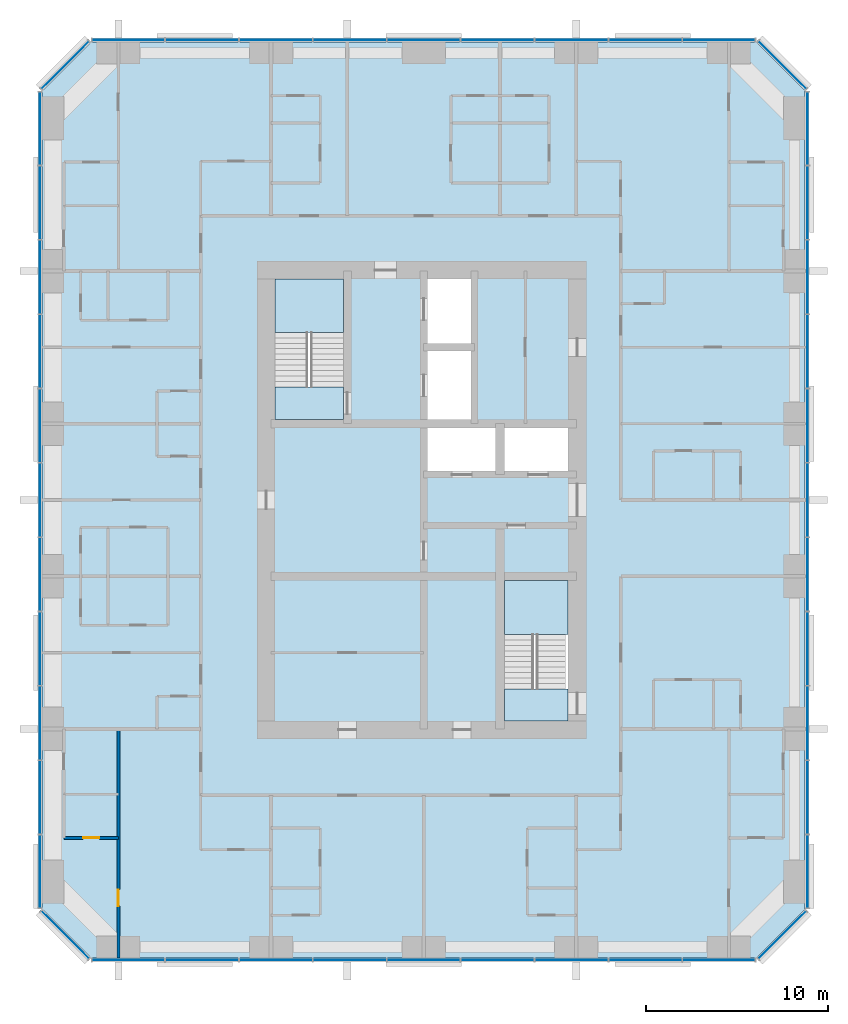
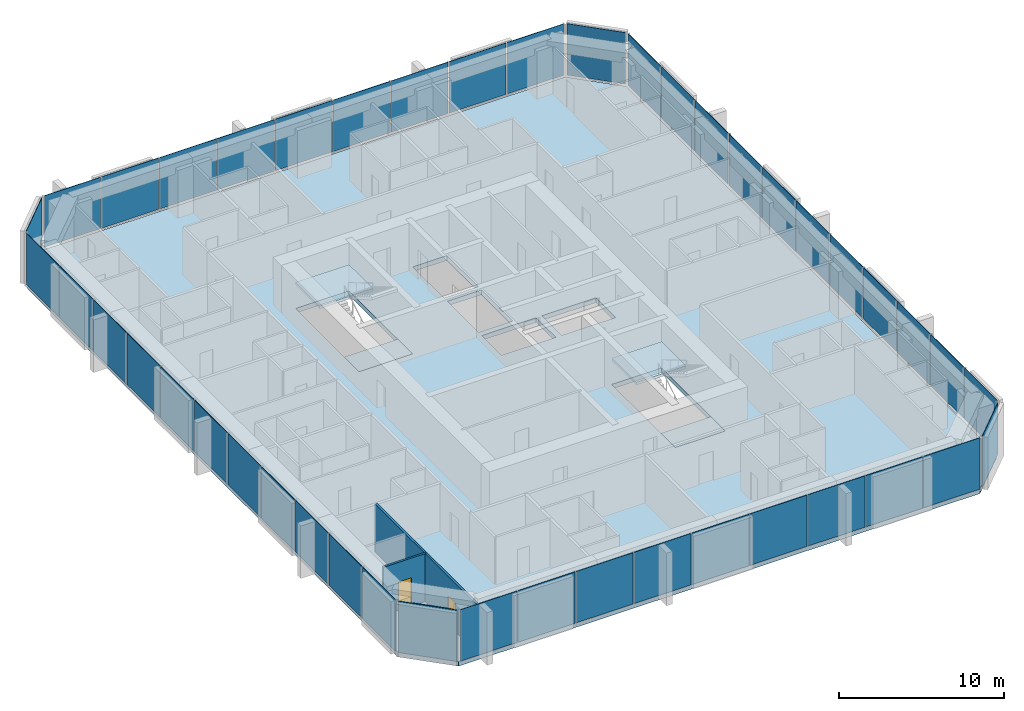
# One storey, part 6 of 12: 44 plates, 5 slabs, 2 doors, 2 walls, 2 openings, 10 elements without a shape of their own.
"""IFC4 building model written with IfcOpenShell, lengths in metres."""

from ifc_helpers import new_model, si_unit, direction, frame, frame_2d, origin, origin_2d, place, context, subcontext, project, spatial, polyline, rectangle, outline, extrude, material, layer, layer_set, type_object, element, fill, aggregate, save


model = new_model("IFC4")

# Units and contexts
model_context = context("Model", 3, precision=1e-05, world=origin(), true_north=direction((0.0, 1.0)))
body_context = subcontext(model_context, "Body", "Model", "MODEL_VIEW")
ifc_project = project(units=[si_unit("LENGTHUNIT", "METRE"), si_unit("AREAUNIT", "SQUARE_METRE"), si_unit("VOLUMEUNIT", "CUBIC_METRE"), si_unit("PLANEANGLEUNIT", "RADIAN"), si_unit("MASSUNIT", "GRAM", prefix="KILO")], contexts=[model_context])

# Site, building, storey
site_placement = place(None, origin())
site = spatial("IfcSite", under=ifc_project, at=site_placement, CompositionType="ELEMENT")
building_placement = place(site_placement, origin())
building = spatial("IfcBuilding", under=site, at=building_placement, Name="Dunama Terrace Hotel", CompositionType="ELEMENT")
storey_placement = place(building_placement, frame((0.0, 0.0, 229.5)))
storey = spatial("IfcBuildingStorey", under=building, at=storey_placement, Name="L59", CompositionType="ELEMENT", Elevation=229.5)

# Curtain wall, plates
ifc_material_1 = material(Name="Aluminium curtain wall system", Category="aluminium")
curtain_wall_type = type_object("IfcCurtainWallType", Name="Unitised fritted glass wall CW-D", PredefinedType="NOTDEFINED", material=ifc_material_1)
curtain_wall_1_placement = place(storey_placement, origin())
curtain_wall_1 = element("IfcCurtainWall", 1, at=curtain_wall_1_placement, inside=storey, type_object=curtain_wall_type, Name="Unitised fritted glass wall CW-D L59", PredefinedType="NOTDEFINED")
ifc_material_2 = material(Name="Laminated glass", Category="glass")
ifc_layer_1 = layer(ifc_material_2, 0.035888671875)
ifc_layer_set_1 = layer_set([ifc_layer_1], Name="CWD clear glass panel")
plate_type_1 = type_object("IfcPlateType", Name="CWD clear glass panel", PredefinedType="CURTAIN_PANEL", material=ifc_layer_set_1)
plate_1_placement = place(storey_placement, frame((25.467041015625, 4.080078125, 0.0849609375), z_axis=(0.0, 0.0, 1.0), x_axis=(1.0, 0.0, 0.0)))
plate_1 = element("IfcPlate", 2, at=plate_1_placement, type_object=plate_type_1, Name="CWD clear glass panel", PredefinedType="CURTAIN_PANEL", context=body_context, shape_type="SweptSolid", body=[
    extrude(rectangle(XDim=3.99658203125, YDim=0.035888671875, at=origin_2d()), origin(), (0.0, 0.0, 1.0), 3.81494140625),
])
plate_2_placement = place(storey_placement, frame((37.6669921875, 4.080078125, 0.0849609375), z_axis=(0.0, 0.0, 1.0), x_axis=(1.0, 0.0, 0.0)))
plate_2 = element("IfcPlate", 3, at=plate_2_placement, type_object=plate_type_1, Name="CWD clear glass panel", PredefinedType="CURTAIN_PANEL", context=body_context, shape_type="SweptSolid", body=[
    extrude(rectangle(XDim=3.99658203125, YDim=0.035888671875, at=origin_2d()), origin(), (0.0, 0.0, 1.0), 3.81494140625),
])
plate_3_placement = place(storey_placement, frame((49.84912109375, 4.080078125, 0.0849609375), z_axis=(0.0, 0.0, 1.0), x_axis=(1.0, 0.0, 0.0)))
plate_3 = element("IfcPlate", 4, at=plate_3_placement, type_object=plate_type_1, Name="CWD clear glass panel", PredefinedType="CURTAIN_PANEL", context=body_context, shape_type="SweptSolid", body=[
    extrude(rectangle(XDim=3.961669921875, YDim=0.035888671875, at=origin_2d()), origin(), (0.0, 0.0, 1.0), 3.81494140625),
])

curtain_wall_2_placement = place(storey_placement, origin())
curtain_wall_2 = element("IfcCurtainWall", 5, at=curtain_wall_2_placement, inside=storey, type_object=curtain_wall_type, Name="Unitised fritted glass wall CW-D L59", PredefinedType="NOTDEFINED")
plate_4_placement = place(storey_placement, frame((54.719970703125, 13.035888671875, 0.0849609375), z_axis=(0.0, 0.0, 1.0), x_axis=(0.0, 1.0, 0.0)))
plate_4 = element("IfcPlate", 6, at=plate_4_placement, type_object=plate_type_1, Name="CWD clear glass panel", PredefinedType="CURTAIN_PANEL", context=body_context, shape_type="SweptSolid", body=[
    extrude(rectangle(XDim=4.02099609375, YDim=0.035888671875, at=origin_2d()), origin(), (0.0, 0.0, 1.0), 3.81494140625),
])
plate_5_placement = place(storey_placement, frame((54.719970703125, 25.30908203125, 0.0849609375), z_axis=(0.0, 0.0, 1.0), x_axis=(0.0, 1.0, 0.0)))
plate_5 = element("IfcPlate", 7, at=plate_5_placement, type_object=plate_type_1, Name="CWD clear glass panel", PredefinedType="CURTAIN_PANEL", context=body_context, shape_type="SweptSolid", body=[
    extrude(rectangle(XDim=4.02099609375, YDim=0.035888671875, at=origin_2d()), origin(), (0.0, 0.0, 1.0), 3.81494140625),
])
plate_6_placement = place(storey_placement, frame((54.719970703125, 37.58203125, 0.0849609375), z_axis=(0.0, 0.0, 1.0), x_axis=(0.0, 1.0, 0.0)))
plate_6 = element("IfcPlate", 8, at=plate_6_placement, type_object=plate_type_1, Name="CWD clear glass panel", PredefinedType="CURTAIN_PANEL", context=body_context, shape_type="SweptSolid", body=[
    extrude(rectangle(XDim=4.02099609375, YDim=0.035888671875, at=origin_2d()), origin(), (0.0, 0.0, 1.0), 3.81494140625),
])
plate_7_placement = place(storey_placement, frame((54.719970703125, 49.8369140625, 0.0849609375), z_axis=(0.0, 0.0, 1.0), x_axis=(0.0, 1.0, 0.0)))
plate_7 = element("IfcPlate", 9, at=plate_7_placement, type_object=plate_type_1, Name="CWD clear glass panel", PredefinedType="CURTAIN_PANEL", context=body_context, shape_type="SweptSolid", body=[
    extrude(rectangle(XDim=3.98583984375, YDim=0.035888671875, at=origin_2d()), origin(), (0.0, 0.0, 1.0), 3.81494140625),
])

curtain_wall_3_placement = place(storey_placement, origin())
curtain_wall_3 = element("IfcCurtainWall", 10, at=curtain_wall_3_placement, inside=storey, type_object=curtain_wall_type, Name="Unitised fritted glass wall CW-D L59", PredefinedType="NOTDEFINED")
plate_8_placement = place(storey_placement, frame((45.800048828125, 54.719970703125, 0.0849609375), z_axis=(0.0, 0.0, 1.0), x_axis=(-1.0, 0.0, 0.0)))
plate_8 = element("IfcPlate", 11, at=plate_8_placement, type_object=plate_type_1, Name="CWD clear glass panel", PredefinedType="CURTAIN_PANEL", context=body_context, shape_type="SweptSolid", body=[
    extrude(rectangle(XDim=3.99658203125, YDim=0.035888671875, at=origin_2d()), origin(), (0.0, 0.0, 1.0), 3.81494140625),
])
plate_9_placement = place(storey_placement, frame((33.60009765625, 54.719970703125, 0.0849609375), z_axis=(0.0, 0.0, 1.0), x_axis=(-1.0, 0.0, 0.0)))
plate_9 = element("IfcPlate", 12, at=plate_9_placement, type_object=plate_type_1, Name="CWD clear glass panel", PredefinedType="CURTAIN_PANEL", context=body_context, shape_type="SweptSolid", body=[
    extrude(rectangle(XDim=3.99658203125, YDim=0.035888671875, at=origin_2d()), origin(), (0.0, 0.0, 1.0), 3.81494140625),
])
plate_10_placement = place(storey_placement, frame((21.39990234375, 54.719970703125, 0.0849609375), z_axis=(0.0, 0.0, 1.0), x_axis=(-1.0, 0.0, 0.0)))
plate_10 = element("IfcPlate", 13, at=plate_10_placement, type_object=plate_type_1, Name="CWD clear glass panel", PredefinedType="CURTAIN_PANEL", context=body_context, shape_type="SweptSolid", body=[
    extrude(rectangle(XDim=3.99658203125, YDim=0.035888671875, at=origin_2d()), origin(), (0.0, 0.0, 1.0), 3.81494140625),
])

curtain_wall_4_placement = place(storey_placement, origin())
curtain_wall_4 = element("IfcCurtainWall", 14, at=curtain_wall_4_placement, inside=storey, type_object=curtain_wall_type, Name="Unitised fritted glass wall CW-D L59", PredefinedType="NOTDEFINED")
plate_11_placement = place(storey_placement, frame((12.47998046875, 49.8369140625, 0.0849609375), z_axis=(0.0, 0.0, 1.0), x_axis=(0.0, -1.0, 0.0)))
plate_11 = element("IfcPlate", 15, at=plate_11_placement, type_object=plate_type_1, Name="CWD clear glass panel", PredefinedType="CURTAIN_PANEL", context=body_context, shape_type="SweptSolid", body=[
    extrude(rectangle(XDim=3.98583984375, YDim=0.035888671875, at=origin_2d()), origin(), (0.0, 0.0, 1.0), 3.81494140625),
])
plate_12_placement = place(storey_placement, frame((12.47998046875, 37.58203125, 0.0849609375), z_axis=(0.0, 0.0, 1.0), x_axis=(0.0, -1.0, 0.0)))
plate_12 = element("IfcPlate", 16, at=plate_12_placement, type_object=plate_type_1, Name="CWD clear glass panel", PredefinedType="CURTAIN_PANEL", context=body_context, shape_type="SweptSolid", body=[
    extrude(rectangle(XDim=4.02099609375, YDim=0.035888671875, at=origin_2d()), origin(), (0.0, 0.0, 1.0), 3.81494140625),
])
plate_13_placement = place(storey_placement, frame((12.47998046875, 25.30908203125, 0.0849609375), z_axis=(0.0, 0.0, 1.0), x_axis=(0.0, -1.0, 0.0)))
plate_13 = element("IfcPlate", 17, at=plate_13_placement, type_object=plate_type_1, Name="CWD clear glass panel", PredefinedType="CURTAIN_PANEL", context=body_context, shape_type="SweptSolid", body=[
    extrude(rectangle(XDim=4.02099609375, YDim=0.035888671875, at=origin_2d()), origin(), (0.0, 0.0, 1.0), 3.81494140625),
])
plate_14_placement = place(storey_placement, frame((12.47998046875, 13.035888671875, 0.0849609375), z_axis=(0.0, 0.0, 1.0), x_axis=(0.0, -1.0, 0.0)))
plate_14 = element("IfcPlate", 18, at=plate_14_placement, type_object=plate_type_1, Name="CWD clear glass panel", PredefinedType="CURTAIN_PANEL", context=body_context, shape_type="SweptSolid", body=[
    extrude(rectangle(XDim=4.02099609375, YDim=0.035888671875, at=origin_2d()), origin(), (0.0, 0.0, 1.0), 3.81494140625),
])

# Plate
ifc_material_3 = material(Name="Fritted laminated glass", Category="glass")
ifc_layer_2 = layer(ifc_material_3, 0.035888671875)
ifc_layer_set_2 = layer_set([ifc_layer_2], Name="CWD fritted glass panel")
plate_type_2 = type_object("IfcPlateType", Name="CWD fritted glass panel", PredefinedType="CURTAIN_PANEL", material=ifc_layer_set_2)
plate_15_placement = place(storey_placement, frame((21.39990234375, 4.080078125, 0.0849609375), z_axis=(0.0, 0.0, 1.0), x_axis=(1.0, 0.0, 0.0)))
plate_15 = element("IfcPlate", 19, at=plate_15_placement, type_object=plate_type_2, Name="CWD fritted glass panel", PredefinedType="CURTAIN_PANEL", context=body_context, shape_type="SweptSolid", body=[
    extrude(rectangle(XDim=3.99658203125, YDim=0.035888671875, at=origin_2d()), origin(), (0.0, 0.0, 1.0), 3.81494140625),
])

plate_16_placement = place(storey_placement, frame((33.60009765625, 4.080078125, 0.0849609375), z_axis=(0.0, 0.0, 1.0), x_axis=(1.0, 0.0, 0.0)))
plate_16 = element("IfcPlate", 20, at=plate_16_placement, type_object=plate_type_2, Name="CWD fritted glass panel", PredefinedType="CURTAIN_PANEL", context=body_context, shape_type="SweptSolid", body=[
    extrude(rectangle(XDim=3.99658203125, YDim=0.035888671875, at=origin_2d()), origin(), (0.0, 0.0, 1.0), 3.81494140625),
])

plate_17_placement = place(storey_placement, frame((45.800048828125, 4.080078125, 0.0849609375), z_axis=(0.0, 0.0, 1.0), x_axis=(1.0, 0.0, 0.0)))
plate_17 = element("IfcPlate", 21, at=plate_17_placement, type_object=plate_type_2, Name="CWD fritted glass panel", PredefinedType="CURTAIN_PANEL", context=body_context, shape_type="SweptSolid", body=[
    extrude(rectangle(XDim=3.99658203125, YDim=0.035888671875, at=origin_2d()), origin(), (0.0, 0.0, 1.0), 3.81494140625),
])

plate_18_placement = place(storey_placement, frame((54.719970703125, 8.962890625, 0.0849609375), z_axis=(0.0, 0.0, 1.0), x_axis=(0.0, 1.0, 0.0)))
plate_18 = element("IfcPlate", 22, at=plate_18_placement, type_object=plate_type_2, Name="CWD fritted glass panel", PredefinedType="CURTAIN_PANEL", context=body_context, shape_type="SweptSolid", body=[
    extrude(rectangle(XDim=3.98583984375, YDim=0.035888671875, at=origin_2d()), origin(), (0.0, 0.0, 1.0), 3.81494140625),
])

plate_19_placement = place(storey_placement, frame((54.719970703125, 21.218017578125, 0.0849609375), z_axis=(0.0, 0.0, 1.0), x_axis=(0.0, 1.0, 0.0)))
plate_19 = element("IfcPlate", 23, at=plate_19_placement, type_object=plate_type_2, Name="CWD fritted glass panel", PredefinedType="CURTAIN_PANEL", context=body_context, shape_type="SweptSolid", body=[
    extrude(rectangle(XDim=4.02099609375, YDim=0.035888671875, at=origin_2d()), origin(), (0.0, 0.0, 1.0), 3.81494140625),
])

plate_20_placement = place(storey_placement, frame((54.719970703125, 33.490966796875, 0.0849609375), z_axis=(0.0, 0.0, 1.0), x_axis=(0.0, 1.0, 0.0)))
plate_20 = element("IfcPlate", 24, at=plate_20_placement, type_object=plate_type_2, Name="CWD fritted glass panel", PredefinedType="CURTAIN_PANEL", context=body_context, shape_type="SweptSolid", body=[
    extrude(rectangle(XDim=4.02099609375, YDim=0.035888671875, at=origin_2d()), origin(), (0.0, 0.0, 1.0), 3.81494140625),
])

plate_21_placement = place(storey_placement, frame((54.719970703125, 45.763916015625, 0.0849609375), z_axis=(0.0, 0.0, 1.0), x_axis=(0.0, 1.0, 0.0)))
plate_21 = element("IfcPlate", 25, at=plate_21_placement, type_object=plate_type_2, Name="CWD fritted glass panel", PredefinedType="CURTAIN_PANEL", context=body_context, shape_type="SweptSolid", body=[
    extrude(rectangle(XDim=4.02099609375, YDim=0.035888671875, at=origin_2d()), origin(), (0.0, 0.0, 1.0), 3.81494140625),
])

plate_22_placement = place(storey_placement, frame((49.84912109375, 54.719970703125, 0.0849609375), z_axis=(0.0, 0.0, 1.0), x_axis=(-1.0, 0.0, 0.0)))
plate_22 = element("IfcPlate", 26, at=plate_22_placement, type_object=plate_type_2, Name="CWD fritted glass panel", PredefinedType="CURTAIN_PANEL", context=body_context, shape_type="SweptSolid", body=[
    extrude(rectangle(XDim=3.961669921875, YDim=0.035888671875, at=origin_2d()), origin(), (0.0, 0.0, 1.0), 3.81494140625),
])

plate_23_placement = place(storey_placement, frame((37.6669921875, 54.719970703125, 0.0849609375), z_axis=(0.0, 0.0, 1.0), x_axis=(-1.0, 0.0, 0.0)))
plate_23 = element("IfcPlate", 27, at=plate_23_placement, type_object=plate_type_2, Name="CWD fritted glass panel", PredefinedType="CURTAIN_PANEL", context=body_context, shape_type="SweptSolid", body=[
    extrude(rectangle(XDim=3.99658203125, YDim=0.035888671875, at=origin_2d()), origin(), (0.0, 0.0, 1.0), 3.81494140625),
])

plate_24_placement = place(storey_placement, frame((25.467041015625, 54.719970703125, 0.0849609375), z_axis=(0.0, 0.0, 1.0), x_axis=(-1.0, 0.0, 0.0)))
plate_24 = element("IfcPlate", 28, at=plate_24_placement, type_object=plate_type_2, Name="CWD fritted glass panel", PredefinedType="CURTAIN_PANEL", context=body_context, shape_type="SweptSolid", body=[
    extrude(rectangle(XDim=3.99658203125, YDim=0.035888671875, at=origin_2d()), origin(), (0.0, 0.0, 1.0), 3.81494140625),
])

# Curtain wall, plate
curtain_wall_5_placement = place(storey_placement, origin())
curtain_wall_5 = element("IfcCurtainWall", 29, at=curtain_wall_5_placement, inside=storey, type_object=curtain_wall_type, Name="Unitised fritted glass wall CW-D L59", PredefinedType="NOTDEFINED")
plate_25_placement = place(storey_placement, frame((13.864990234375, 53.3349609375, 0.0849609375), z_axis=(0.0, 0.0, 1.0), x_axis=(-0.707106781187, -0.707106781187, 0.0)))
plate_25 = element("IfcPlate", 30, at=plate_25_placement, type_object=plate_type_2, Name="CWD fritted glass panel", PredefinedType="CURTAIN_PANEL", context=body_context, shape_type="SweptSolid", body=[
    extrude(rectangle(XDim=3.678466796875, YDim=0.035888671875, at=origin_2d()), origin(), (0.0, 0.0, 1.0), 3.81494140625),
])
aggregate(curtain_wall_5, [plate_25])

# Plate
plate_26_placement = place(storey_placement, frame((12.47998046875, 41.673095703125, 0.0849609375), z_axis=(0.0, 0.0, 1.0), x_axis=(0.0, -1.0, 0.0)))
plate_26 = element("IfcPlate", 31, at=plate_26_placement, type_object=plate_type_2, Name="CWD fritted glass panel", PredefinedType="CURTAIN_PANEL", context=body_context, shape_type="SweptSolid", body=[
    extrude(rectangle(XDim=4.02099609375, YDim=0.035888671875, at=origin_2d()), origin(), (0.0, 0.0, 1.0), 3.81494140625),
])

plate_27_placement = place(storey_placement, frame((12.47998046875, 29.39990234375, 0.0849609375), z_axis=(0.0, 0.0, 1.0), x_axis=(0.0, -1.0, 0.0)))
plate_27 = element("IfcPlate", 32, at=plate_27_placement, type_object=plate_type_2, Name="CWD fritted glass panel", PredefinedType="CURTAIN_PANEL", context=body_context, shape_type="SweptSolid", body=[
    extrude(rectangle(XDim=4.02099609375, YDim=0.035888671875, at=origin_2d()), origin(), (0.0, 0.0, 1.0), 3.81494140625),
])

plate_28_placement = place(storey_placement, frame((12.47998046875, 17.126953125, 0.0849609375), z_axis=(0.0, 0.0, 1.0), x_axis=(0.0, -1.0, 0.0)))
plate_28 = element("IfcPlate", 33, at=plate_28_placement, type_object=plate_type_2, Name="CWD fritted glass panel", PredefinedType="CURTAIN_PANEL", context=body_context, shape_type="SweptSolid", body=[
    extrude(rectangle(XDim=4.02099609375, YDim=0.035888671875, at=origin_2d()), origin(), (0.0, 0.0, 1.0), 3.81494140625),
])

# Curtain wall, plate
curtain_wall_6_placement = place(storey_placement, origin())
curtain_wall_6 = element("IfcCurtainWall", 34, at=curtain_wall_6_placement, inside=storey, type_object=curtain_wall_type, Name="Unitised fritted glass wall CW-D L59", PredefinedType="NOTDEFINED")
plate_29_placement = place(storey_placement, frame((13.864990234375, 5.465087890625, 0.0849609375), z_axis=(0.0, 0.0, 1.0), x_axis=(0.707106781187, -0.707106781187, 0.0)))
plate_29 = element("IfcPlate", 35, at=plate_29_placement, type_object=plate_type_2, Name="CWD fritted glass panel", PredefinedType="CURTAIN_PANEL", context=body_context, shape_type="SweptSolid", body=[
    extrude(rectangle(XDim=3.678466796875, YDim=0.035888671875, at=origin_2d()), origin(), (0.0, 0.0, 1.0), 3.81494140625),
])
aggregate(curtain_wall_6, [plate_29])

# Plate
ifc_material_4 = material(Name="Laminated glass", Category="glass")
ifc_layer_3 = layer(ifc_material_4, 0.035888671875)
ifc_layer_set_3 = layer_set([ifc_layer_3], Name="CWD operable glass panel")
plate_type_3 = type_object("IfcPlateType", Name="CWD operable glass panel", PredefinedType="CURTAIN_PANEL", material=ifc_layer_set_3)
plate_30_placement = place(storey_placement, frame((17.35107421875, 4.080078125, 0.0849609375), z_axis=(0.0, 0.0, 1.0), x_axis=(1.0, 0.0, 0.0)))
plate_30 = element("IfcPlate", 36, at=plate_30_placement, type_object=plate_type_3, Name="CWD operable glass panel", PredefinedType="CURTAIN_PANEL", context=body_context, shape_type="SweptSolid", body=[
    extrude(rectangle(XDim=3.961669921875, YDim=0.035888671875, at=origin_2d()), origin(), (0.0, 0.0, 1.0), 3.81494140625),
])

plate_31_placement = place(storey_placement, frame((29.532958984375, 4.080078125, 0.0849609375), z_axis=(0.0, 0.0, 1.0), x_axis=(1.0, 0.0, 0.0)))
plate_31 = element("IfcPlate", 37, at=plate_31_placement, type_object=plate_type_3, Name="CWD operable glass panel", PredefinedType="CURTAIN_PANEL", context=body_context, shape_type="SweptSolid", body=[
    extrude(rectangle(XDim=3.99658203125, YDim=0.035888671875, at=origin_2d()), origin(), (0.0, 0.0, 1.0), 3.81494140625),
])

plate_32_placement = place(storey_placement, frame((41.73291015625, 4.080078125, 0.0849609375), z_axis=(0.0, 0.0, 1.0), x_axis=(1.0, 0.0, 0.0)))
plate_32 = element("IfcPlate", 38, at=plate_32_placement, type_object=plate_type_3, Name="CWD operable glass panel", PredefinedType="CURTAIN_PANEL", context=body_context, shape_type="SweptSolid", body=[
    extrude(rectangle(XDim=3.99658203125, YDim=0.035888671875, at=origin_2d()), origin(), (0.0, 0.0, 1.0), 3.81494140625),
])

aggregate(curtain_wall_1, [plate_30, plate_15, plate_1, plate_31, plate_16, plate_2, plate_32, plate_17, plate_3])

# Curtain wall, plate
curtain_wall_7_placement = place(storey_placement, origin())
curtain_wall_7 = element("IfcCurtainWall", 39, at=curtain_wall_7_placement, inside=storey, type_object=curtain_wall_type, Name="Unitised fritted glass wall CW-D L59", PredefinedType="NOTDEFINED")
plate_33_placement = place(storey_placement, frame((53.3349609375, 5.465087890625, 0.0849609375), z_axis=(0.0, 0.0, 1.0), x_axis=(0.707106781187, 0.707106781187, 0.0)))
plate_33 = element("IfcPlate", 40, at=plate_33_placement, type_object=plate_type_3, Name="CWD operable glass panel", PredefinedType="CURTAIN_PANEL", context=body_context, shape_type="SweptSolid", body=[
    extrude(rectangle(XDim=3.678466796875, YDim=0.035888671875, at=origin_2d()), origin(), (0.0, 0.0, 1.0), 3.81494140625),
])
aggregate(curtain_wall_7, [plate_33])

# Plate
plate_34_placement = place(storey_placement, frame((54.719970703125, 17.126953125, 0.0849609375), z_axis=(0.0, 0.0, 1.0), x_axis=(0.0, 1.0, 0.0)))
plate_34 = element("IfcPlate", 41, at=plate_34_placement, type_object=plate_type_3, Name="CWD operable glass panel", PredefinedType="CURTAIN_PANEL", context=body_context, shape_type="SweptSolid", body=[
    extrude(rectangle(XDim=4.02099609375, YDim=0.035888671875, at=origin_2d()), origin(), (0.0, 0.0, 1.0), 3.81494140625),
])

plate_35_placement = place(storey_placement, frame((54.719970703125, 29.39990234375, 0.0849609375), z_axis=(0.0, 0.0, 1.0), x_axis=(0.0, 1.0, 0.0)))
plate_35 = element("IfcPlate", 42, at=plate_35_placement, type_object=plate_type_3, Name="CWD operable glass panel", PredefinedType="CURTAIN_PANEL", context=body_context, shape_type="SweptSolid", body=[
    extrude(rectangle(XDim=4.02099609375, YDim=0.035888671875, at=origin_2d()), origin(), (0.0, 0.0, 1.0), 3.81494140625),
])

plate_36_placement = place(storey_placement, frame((54.719970703125, 41.673095703125, 0.0849609375), z_axis=(0.0, 0.0, 1.0), x_axis=(0.0, 1.0, 0.0)))
plate_36 = element("IfcPlate", 43, at=plate_36_placement, type_object=plate_type_3, Name="CWD operable glass panel", PredefinedType="CURTAIN_PANEL", context=body_context, shape_type="SweptSolid", body=[
    extrude(rectangle(XDim=4.02099609375, YDim=0.035888671875, at=origin_2d()), origin(), (0.0, 0.0, 1.0), 3.81494140625),
])

aggregate(curtain_wall_2, [plate_18, plate_4, plate_34, plate_19, plate_5, plate_35, plate_20, plate_6, plate_36, plate_21, plate_7])

# Curtain wall, plate
curtain_wall_8_placement = place(storey_placement, origin())
curtain_wall_8 = element("IfcCurtainWall", 44, at=curtain_wall_8_placement, inside=storey, type_object=curtain_wall_type, Name="Unitised fritted glass wall CW-D L59", PredefinedType="NOTDEFINED")
plate_37_placement = place(storey_placement, frame((53.3349609375, 53.3349609375, 0.0849609375), z_axis=(0.0, 0.0, 1.0), x_axis=(-0.707106781187, 0.707106781187, 0.0)))
plate_37 = element("IfcPlate", 45, at=plate_37_placement, type_object=plate_type_3, Name="CWD operable glass panel", PredefinedType="CURTAIN_PANEL", context=body_context, shape_type="SweptSolid", body=[
    extrude(rectangle(XDim=3.678466796875, YDim=0.035888671875, at=origin_2d()), origin(), (0.0, 0.0, 1.0), 3.81494140625),
])
aggregate(curtain_wall_8, [plate_37])

# Plate
plate_38_placement = place(storey_placement, frame((41.73291015625, 54.719970703125, 0.0849609375), z_axis=(0.0, 0.0, 1.0), x_axis=(-1.0, 0.0, 0.0)))
plate_38 = element("IfcPlate", 46, at=plate_38_placement, type_object=plate_type_3, Name="CWD operable glass panel", PredefinedType="CURTAIN_PANEL", context=body_context, shape_type="SweptSolid", body=[
    extrude(rectangle(XDim=3.99658203125, YDim=0.035888671875, at=origin_2d()), origin(), (0.0, 0.0, 1.0), 3.81494140625),
])

plate_39_placement = place(storey_placement, frame((29.532958984375, 54.719970703125, 0.0849609375), z_axis=(0.0, 0.0, 1.0), x_axis=(-1.0, 0.0, 0.0)))
plate_39 = element("IfcPlate", 47, at=plate_39_placement, type_object=plate_type_3, Name="CWD operable glass panel", PredefinedType="CURTAIN_PANEL", context=body_context, shape_type="SweptSolid", body=[
    extrude(rectangle(XDim=3.99658203125, YDim=0.035888671875, at=origin_2d()), origin(), (0.0, 0.0, 1.0), 3.81494140625),
])

plate_40_placement = place(storey_placement, frame((17.35107421875, 54.719970703125, 0.0849609375), z_axis=(0.0, 0.0, 1.0), x_axis=(-1.0, 0.0, 0.0)))
plate_40 = element("IfcPlate", 48, at=plate_40_placement, type_object=plate_type_3, Name="CWD operable glass panel", PredefinedType="CURTAIN_PANEL", context=body_context, shape_type="SweptSolid", body=[
    extrude(rectangle(XDim=3.961669921875, YDim=0.035888671875, at=origin_2d()), origin(), (0.0, 0.0, 1.0), 3.81494140625),
])

aggregate(curtain_wall_3, [plate_22, plate_8, plate_38, plate_23, plate_9, plate_39, plate_24, plate_10, plate_40])

plate_41_placement = place(storey_placement, frame((12.47998046875, 45.763916015625, 0.0849609375), z_axis=(0.0, 0.0, 1.0), x_axis=(0.0, -1.0, 0.0)))
plate_41 = element("IfcPlate", 49, at=plate_41_placement, type_object=plate_type_3, Name="CWD operable glass panel", PredefinedType="CURTAIN_PANEL", context=body_context, shape_type="SweptSolid", body=[
    extrude(rectangle(XDim=4.02099609375, YDim=0.035888671875, at=origin_2d()), origin(), (0.0, 0.0, 1.0), 3.81494140625),
])

plate_42_placement = place(storey_placement, frame((12.47998046875, 33.490966796875, 0.0849609375), z_axis=(0.0, 0.0, 1.0), x_axis=(0.0, -1.0, 0.0)))
plate_42 = element("IfcPlate", 50, at=plate_42_placement, type_object=plate_type_3, Name="CWD operable glass panel", PredefinedType="CURTAIN_PANEL", context=body_context, shape_type="SweptSolid", body=[
    extrude(rectangle(XDim=4.02099609375, YDim=0.035888671875, at=origin_2d()), origin(), (0.0, 0.0, 1.0), 3.81494140625),
])

plate_43_placement = place(storey_placement, frame((12.47998046875, 21.218017578125, 0.0849609375), z_axis=(0.0, 0.0, 1.0), x_axis=(0.0, -1.0, 0.0)))
plate_43 = element("IfcPlate", 51, at=plate_43_placement, type_object=plate_type_3, Name="CWD operable glass panel", PredefinedType="CURTAIN_PANEL", context=body_context, shape_type="SweptSolid", body=[
    extrude(rectangle(XDim=4.02099609375, YDim=0.035888671875, at=origin_2d()), origin(), (0.0, 0.0, 1.0), 3.81494140625),
])

plate_44_placement = place(storey_placement, frame((12.47998046875, 8.962890625, 0.0849609375), z_axis=(0.0, 0.0, 1.0), x_axis=(0.0, -1.0, 0.0)))
plate_44 = element("IfcPlate", 52, at=plate_44_placement, type_object=plate_type_3, Name="CWD operable glass panel", PredefinedType="CURTAIN_PANEL", context=body_context, shape_type="SweptSolid", body=[
    extrude(rectangle(XDim=3.98583984375, YDim=0.035888671875, at=origin_2d()), origin(), (0.0, 0.0, 1.0), 3.81494140625),
])

aggregate(curtain_wall_4, [plate_11, plate_41, plate_26, plate_12, plate_42, plate_27, plate_13, plate_43, plate_28, plate_14, plate_44])

# Slab
ifc_material_5 = material(Name="Concrete C40/50", Category="concrete")
ifc_layer_4 = layer(ifc_material_5, 0.35009765625)
ifc_layer_set_4 = layer_set([ifc_layer_4], Name="Flat plate 350")
slab_type_1 = type_object("IfcSlabType", Name="Flat plate 350", PredefinedType="FLOOR", material=ifc_layer_set_4)
slab_1_placement = place(storey_placement, frame((0.0, 0.0, -0.35009765625)))
element("IfcSlab", 53, at=slab_1_placement, inside=storey, type_object=slab_type_1, Name="Floor slab L59", PredefinedType="FLOOR", context=body_context, shape_type="SweptSolid", body=[
    extrude(outline(polyline([(15.300048828125, 4.199951171875), (51.89990234375, 4.199951171875), (54.60009765625, 6.89990234375), (54.60009765625, 51.89990234375), (51.89990234375, 54.60009765625), (15.300048828125, 54.60009765625), (12.60009765625, 51.89990234375), (12.60009765625, 6.89990234375), (15.300048828125, 4.199951171875)]), holes=[polyline([(37.60009765625, 31.0), (37.60009765625, 33.39990234375), (33.800048828125, 33.39990234375), (33.800048828125, 31.0), (37.60009765625, 31.0)]), polyline([(41.800048828125, 31.0), (41.800048828125, 33.39990234375), (38.0, 33.39990234375), (38.0, 31.0), (41.800048828125, 31.0)]), polyline([(36.199951171875, 38.0), (36.199951171875, 41.800048828125), (33.800048828125, 41.800048828125), (33.800048828125, 38.0), (36.199951171875, 38.0)]), polyline([(36.199951171875, 33.800048828125), (36.199951171875, 37.60009765625), (33.800048828125, 37.60009765625), (33.800048828125, 33.800048828125), (36.199951171875, 33.800048828125)]), polyline([(29.175048828125, 33.824951171875), (29.175048828125, 41.550048828125), (25.425048828125, 41.550048828125), (25.425048828125, 33.824951171875), (29.175048828125, 33.824951171875)]), polyline([(41.550048828125, 17.25), (41.550048828125, 24.97509765625), (38.050048828125, 24.97509765625), (38.050048828125, 17.25), (41.550048828125, 17.25)])]), origin(), (0.0, 0.0, 1.0), 0.35009765625),
])

# Stair, slabs
ifc_material_6 = material(Name="Concrete C40/50", Category="concrete")
stair_type_1 = type_object("IfcStairType", Name="Stair ST1-3900-1800", PredefinedType="HALF_TURN_STAIR", material=ifc_material_6)
stair_1_placement = place(storey_placement, origin())
stair_1 = element("IfcStair", 54, at=stair_1_placement, inside=storey, type_object=stair_type_1, Name="Stair ST1 L59", PredefinedType="HALF_TURN_STAIR")
ifc_material_7 = material(Name="Concrete C40/50", Category="concrete")
ifc_layer_5 = layer(ifc_material_7, 0.199951171875)
ifc_layer_set_5 = layer_set([ifc_layer_5], Name="Stair landing 200")
slab_type_2 = type_object("IfcSlabType", Name="Stair landing 200", PredefinedType="LANDING", material=ifc_layer_set_5)
slab_2_placement = place(storey_placement, frame((0.0, 0.0, -0.199951171875)))
slab_2 = element("IfcSlab", 55, at=slab_2_placement, type_object=slab_type_2, Name="ST1 landing 1, type S10", PredefinedType="LANDING", context=body_context, shape_type="SweptSolid", body=[
    extrude(outline(polyline([(25.425048828125, 33.824951171875), (29.175048828125, 33.824951171875), (29.175048828125, 35.625), (25.425048828125, 35.625), (25.425048828125, 33.824951171875)])), origin(), (0.0, 0.0, 1.0), 0.199951171875),
])
slab_3_placement = place(storey_placement, frame((0.0, 0.0, 1.75)))
slab_3 = element("IfcSlab", 56, at=slab_3_placement, type_object=slab_type_2, Name="ST1 landing 2, type S10", PredefinedType="LANDING", context=body_context, shape_type="SweptSolid", body=[
    extrude(outline(polyline([(25.425048828125, 38.625), (29.175048828125, 38.625), (29.175048828125, 41.550048828125), (25.425048828125, 41.550048828125), (25.425048828125, 38.625)])), origin(), (0.0, 0.0, 1.0), 0.199951171875),
])
aggregate(stair_1, [slab_2, slab_3])

ifc_material_8 = material(Name="Concrete C40/50", Category="concrete")
stair_type_2 = type_object("IfcStairType", Name="Stair ST2-3900-1600", PredefinedType="HALF_TURN_STAIR", material=ifc_material_8)
stair_2_placement = place(storey_placement, origin())
stair_2 = element("IfcStair", 57, at=stair_2_placement, inside=storey, type_object=stair_type_2, Name="Stair ST2 L59", PredefinedType="HALF_TURN_STAIR")
slab_4_placement = place(storey_placement, frame((0.0, 0.0, -0.199951171875)))
slab_4 = element("IfcSlab", 58, at=slab_4_placement, type_object=slab_type_2, Name="ST2 landing 1, type S10", PredefinedType="LANDING", context=body_context, shape_type="SweptSolid", body=[
    extrude(outline(polyline([(38.050048828125, 17.25), (41.550048828125, 17.25), (41.550048828125, 19.0), (38.050048828125, 19.0), (38.050048828125, 17.25)])), origin(), (0.0, 0.0, 1.0), 0.199951171875),
])
slab_5_placement = place(storey_placement, frame((0.0, 0.0, 1.75)))
slab_5 = element("IfcSlab", 59, at=slab_5_placement, type_object=slab_type_2, Name="ST2 landing 2, type S10", PredefinedType="LANDING", context=body_context, shape_type="SweptSolid", body=[
    extrude(outline(polyline([(38.050048828125, 22.0), (41.550048828125, 22.0), (41.550048828125, 24.97509765625), (38.050048828125, 24.97509765625), (38.050048828125, 22.0)])), origin(), (0.0, 0.0, 1.0), 0.199951171875),
])
aggregate(stair_2, [slab_4, slab_5])

# Wall, opening, door
ifc_material_9 = material(Name="Gypsum board partition", Category="masonry")
ifc_layer_6 = layer(ifc_material_9, 0.14990234375)
ifc_layer_set_6 = layer_set([ifc_layer_6], Name="Room partition 150")
wall_type = type_object("IfcWallType", Name="Room partition 150", PredefinedType="PARTITIONING", material=ifc_layer_set_6)
wall_1_placement = place(storey_placement, frame((16.800048828125, 4.181884765625, 0.0), z_axis=(0.0, 0.0, 1.0), x_axis=(0.0, 1.0, 0.0)))
wall_1 = element("IfcWall", 60, at=wall_1_placement, inside=storey, type_object=wall_type, Name="Room partition 150 L59", PredefinedType="PARTITIONING", context=body_context, shape_type="SweptSolid", body=[
    extrude(rectangle(XDim=12.6181640625, YDim=0.14990234375, at=frame_2d((6.30908203125, 0.0))), origin(), (0.0, 0.0, 1.0), 3.550048828125),
])
opening_1_placement = place(wall_1_placement, frame((2.867919921875, 0.0, 0.0)))
opening_1 = element("IfcOpeningElement", 61, at=opening_1_placement, cuts=wall_1, Name="Opening L59-048", PredefinedType="OPENING", context=body_context, shape_type="SweptSolid", body=[
    extrude(rectangle(XDim=0.89990234375, YDim=2.10009765625, at=frame_2d((0.449951171875, 1.050048828125))), frame((0.0, 0.0849609375, 0.0), z_axis=(0.0, -1.0, 0.0), x_axis=(1.0, 0.0, 0.0)), (0.0, 0.0, 1.0), 0.169921875),
])
ifc_material_10 = material(Name="Timber door with steel frame", Category="steel")
door_type = type_object("IfcDoorType", Name="Suite internal door 900", OperationType="SINGLE_SWING_LEFT", PredefinedType="DOOR", material=ifc_material_10)
door_1_placement = place(opening_1_placement, origin())
door_1 = element("IfcDoor", 62, at=door_1_placement, inside=storey, type_object=door_type, Name="Door to grand corner suite bedroom L59-048, type D16", OperationType="SINGLE_SWING_LEFT", OverallHeight=2.10009765625, OverallWidth=0.89990234375, PredefinedType="DOOR", context=body_context, shape_type="SweptSolid", body=[
    extrude(rectangle(XDim=0.89990234375, YDim=2.10009765625, at=frame_2d((0.449951171875, 1.050048828125))), frame((0.0, 0.02490234375, 0.0), z_axis=(0.0, -1.0, 0.0), x_axis=(1.0, 0.0, 0.0)), (0.0, 0.0, 1.0), 0.050048828125),
])
fill(opening_1, door_1)

wall_2_placement = place(storey_placement, frame((13.800048828125, 10.800048828125, 0.0), z_axis=(0.0, 0.0, 1.0), x_axis=(1.0, 0.0, 0.0)))
wall_2 = element("IfcWall", 63, at=wall_2_placement, inside=storey, type_object=wall_type, Name="Room partition 150 L59", PredefinedType="PARTITIONING", context=body_context, shape_type="SweptSolid", body=[
    extrude(rectangle(XDim=3.0, YDim=0.14990234375, at=frame_2d((1.5, 0.0))), origin(), (0.0, 0.0, 1.0), 3.550048828125),
])
opening_2_placement = place(wall_2_placement, frame((1.050048828125, 0.0, 0.0)))
opening_2 = element("IfcOpeningElement", 64, at=opening_2_placement, cuts=wall_2, Name="Opening L59-050", PredefinedType="OPENING", context=body_context, shape_type="SweptSolid", body=[
    extrude(rectangle(XDim=0.89990234375, YDim=2.10009765625, at=frame_2d((0.449951171875, 1.050048828125))), frame((0.0, 0.0849609375, 0.0), z_axis=(0.0, -1.0, 0.0), x_axis=(1.0, 0.0, 0.0)), (0.0, 0.0, 1.0), 0.169921875),
])
door_2_placement = place(opening_2_placement, origin())
door_2 = element("IfcDoor", 65, at=door_2_placement, inside=storey, type_object=door_type, Name="Door to dressing room L59-050, type D16", OperationType="SINGLE_SWING_RIGHT", OverallHeight=2.10009765625, OverallWidth=0.89990234375, PredefinedType="DOOR", context=body_context, shape_type="SweptSolid", body=[
    extrude(rectangle(XDim=0.89990234375, YDim=2.10009765625, at=frame_2d((0.449951171875, 1.050048828125))), frame((0.0, 0.02490234375, 0.0), z_axis=(0.0, -1.0, 0.0), x_axis=(1.0, 0.0, 0.0)), (0.0, 0.0, 1.0), 0.050048828125),
])
fill(opening_2, door_2)

save(model, "model.ifc")
